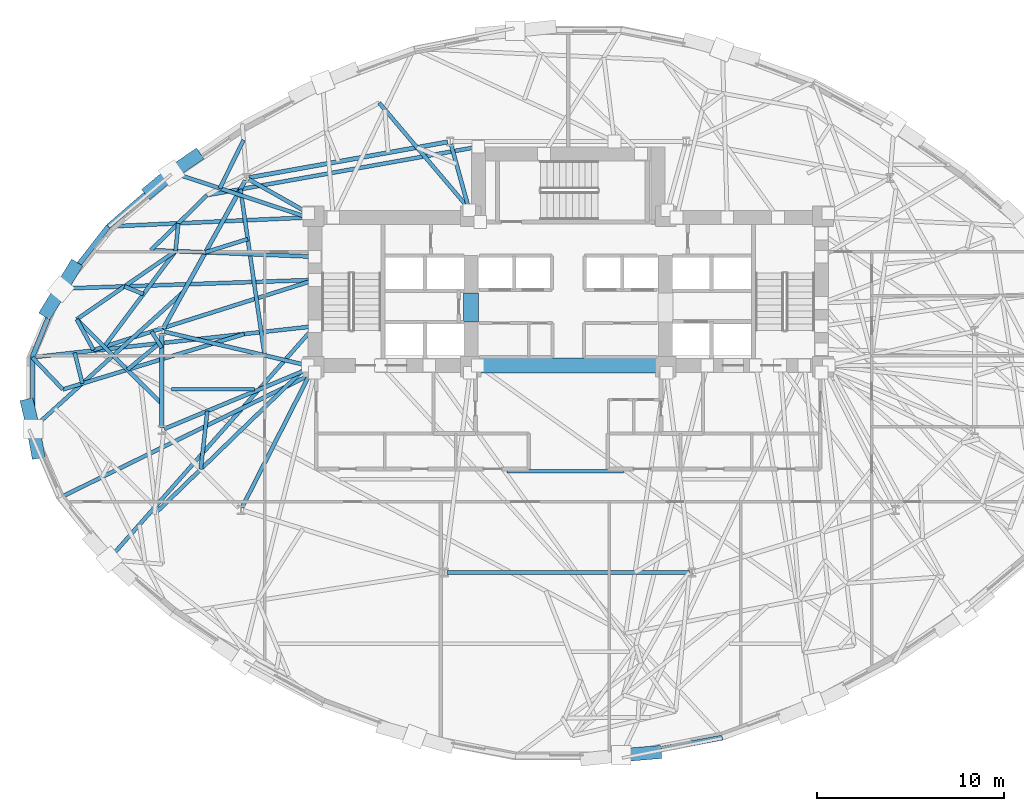
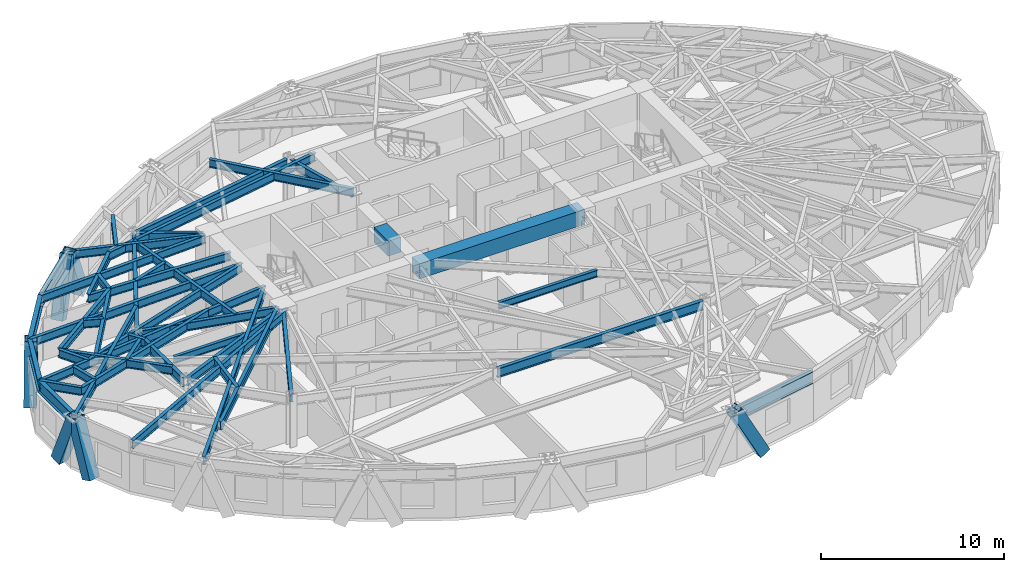
# One storey, part 2 of 14: 46 beams, 7 members.
"""IFC4 building model written with IfcOpenShell, lengths in metres."""

import ifcopenshell
import ifcopenshell.guid

model = None  # the IFC model being written
_history = None  # IfcOwnerHistory: only IFC2X3 demands one
_inside = {}  # id of a spatial element -> (the spatial element, [elements in it])
_under = {}  # id of a project, library or spatial element -> (it, [spatial elements below it])
_declared = {}  # id of a project -> (the project, [libraries it declares])
_typed = {}  # id of a type object -> (the type object, [elements of that type])
_made_of = {}  # id of a material, layer set ... -> (it, [elements and type objects made of it])


def new_model(schema):
    """Start an empty IFC model of exactly this schema.

    Asked for "IFC4X3", IfcOpenShell would pick the latest addendum, in which some entities
    have other attributes; the version numbers below select the first issue.
    IFC2X3 requires an IfcOwnerHistory on every rooted entity: one is made here for all.
    """
    global model, _history
    if schema == "IFC4X3":
        model = ifcopenshell.file(schema_version=(4, 3, 0, 0))
    else:
        model = ifcopenshell.file(schema=schema)
    _inside.clear()
    _under.clear()
    _declared.clear()
    _typed.clear()
    _made_of.clear()
    _history = None
    if model.schema == "IFC2X3":
        org = make("IfcOrganization", Name="unknown")
        user = make(
            "IfcPersonAndOrganization",
            ThePerson=make("IfcPerson", FamilyName="unknown"),
            TheOrganization=org,
        )
        app = make(
            "IfcApplication",
            ApplicationDeveloper=org,
            Version="unknown",
            ApplicationFullName="unknown",
            ApplicationIdentifier="unknown",
        )
        _history = make(
            "IfcOwnerHistory",
            OwningUser=user,
            OwningApplication=app,
            ChangeAction="ADDED",
            CreationDate=0,
        )
    return model


def make(cls, **values):
    """One entity of the class cls with the attributes given. An attribute that is None is left unset."""
    return model.create_entity(
        cls, **{name: value for name, value in values.items() if value is not None}
    )


def rooted(cls, **values):
    """An entity with a GlobalId (a new one), such as an element, a storey or a relation."""
    return make(cls, GlobalId=ifcopenshell.guid.new(), OwnerHistory=_history, **values)


def si_unit(unit_type, name, prefix=None):
    """IfcSIUnit, for example si_unit("LENGTHUNIT", "METRE", prefix="MILLI")."""
    return make("IfcSIUnit", UnitType=unit_type, Prefix=prefix, Name=name)


def assignment(units):
    """IfcUnitAssignment: the units of a project."""
    return None if units is None else make("IfcUnitAssignment", Units=units)


def point(xyz):
    """IfcCartesianPoint."""
    return None if xyz is None else make("IfcCartesianPoint", Coordinates=xyz)


def direction(xyz):
    """IfcDirection."""
    return None if xyz is None else make("IfcDirection", DirectionRatios=xyz)


def frame(location, z_axis=None, x_axis=None):
    """IfcAxis2Placement3D, a coordinate frame: its origin and axes. An axis left out is left unset."""
    return make(
        "IfcAxis2Placement3D",
        Location=point(location),
        Axis=direction(z_axis),
        RefDirection=direction(x_axis),
    )


def frame_2d(location, x_axis=None):
    """IfcAxis2Placement2D, a coordinate frame in the plane: its origin and x axis."""
    return make(
        "IfcAxis2Placement2D", Location=point(location), RefDirection=direction(x_axis)
    )


def origin():
    """The frame at (0, 0, 0) with its axes left unset."""
    return frame((0.0, 0.0, 0.0))


def origin_2d():
    """The frame at (0, 0) in the plane with its x axis left unset."""
    return frame_2d((0.0, 0.0))


def place(relative_to, where):
    """IfcLocalPlacement: puts the frame where relative to a parent placement (None: the world)."""
    return make(
        "IfcLocalPlacement", PlacementRelTo=relative_to, RelativePlacement=where
    )


def context(
    kind, dimensions, precision=None, world=None, true_north=None, identifier=None
):
    """IfcGeometricRepresentationContext, for example the 3D "Model" context."""
    return make(
        "IfcGeometricRepresentationContext",
        ContextIdentifier=identifier,
        ContextType=kind,
        CoordinateSpaceDimension=dimensions,
        Precision=precision,
        WorldCoordinateSystem=world,
        TrueNorth=true_north,
    )


def subcontext(parent, identifier, kind, view, scale=None):
    """IfcGeometricRepresentationSubContext, for example "Body" below "Model"."""
    return make(
        "IfcGeometricRepresentationSubContext",
        ContextIdentifier=identifier,
        ContextType=kind,
        ParentContext=parent,
        TargetScale=scale,
        TargetView=view,
    )


def project(units=None, contexts=None):
    """IfcProject with its units and contexts."""
    return rooted(
        "IfcProject",
        Name="project",
        RepresentationContexts=contexts,
        UnitsInContext=assignment(units),
    )


def spatial(cls, under=None, at=None, **own):
    """A site, building, storey or space (cls), placed at a placement, below another one or the project."""
    s = rooted(cls, ObjectPlacement=at, **own)
    if under is not None:
        _under.setdefault(under.id(), (under, []))[1].append(s)
    return s


def profile(cls, at=None, kind="AREA", **sizes):
    """A parametric profile (cls). Its sizes go by their IFC names, for example OverallWidth=200.0."""
    return make(cls, ProfileType=kind, Position=at, **sizes)


def rectangle(**sizes):
    """IfcRectangleProfileDef."""
    return profile("IfcRectangleProfileDef", **sizes)


def hollow_rectangle(**sizes):
    """IfcRectangleHollowProfileDef."""
    return profile("IfcRectangleHollowProfileDef", **sizes)


def i_section(**sizes):
    """IfcIShapeProfileDef."""
    return profile("IfcIShapeProfileDef", **sizes)


def extrude(swept, where, along, depth):
    """IfcExtrudedAreaSolid: the profile swept, set in the frame where, extruded along a direction by depth."""
    return make(
        "IfcExtrudedAreaSolid",
        SweptArea=swept,
        Position=where,
        ExtrudedDirection=direction(along),
        Depth=depth,
    )


def shape(context_of_items, identifier, shape_type, items):
    """IfcShapeRepresentation: the items that make up one representation, for example the "Body"."""
    return make(
        "IfcShapeRepresentation",
        ContextOfItems=context_of_items,
        RepresentationIdentifier=identifier,
        RepresentationType=shape_type,
        Items=items,
    )


def material(Name=None, Category=None):
    """IfcMaterial."""
    return make("IfcMaterial", Name=Name, Category=Category)


def material_profile(
    of_material, cross_section, Name=None, Category=None, Priority=None
):
    """IfcMaterialProfile: a cross section and its material."""
    return make(
        "IfcMaterialProfile",
        Name=Name,
        Material=of_material,
        Profile=cross_section,
        Priority=Priority,
        Category=Category,
    )


def profile_set(profiles, Name=None, composite=None):
    """IfcMaterialProfileSet."""
    return make(
        "IfcMaterialProfileSet",
        Name=Name,
        MaterialProfiles=profiles,
        CompositeProfile=composite,
    )


def made_of(thing, what):
    """Note that an element or type object is made of a material, layer set ...; save() writes the relation."""
    if what is not None:
        _made_of.setdefault(what.id(), (what, []))[1].append(thing)
    return thing


def type_object(cls, material=None, **own):
    """A type object (cls), such as IfcWallType, which elements share."""
    return made_of(rooted(cls, **own), material)


def element(
    cls,
    number,
    at=None,
    inside=None,
    cuts=None,
    type_object=None,
    material=None,
    context=None,
    identifier="Body",
    shape_type=None,
    held_by="IfcProductDefinitionShape",
    body=None,
    shapes=None,
    **own,
):
    """One element of the class cls, such as IfcWall. Its Tag is "e" and its number.

    at: its placement. inside: the storey or other place that contains it. cuts: it is an
    opening in that element (IfcRelVoidsElement). A single representation is given by context,
    identifier, shape_type and body (its items); several are given by shapes. held_by: the class
    of the entity that holds the representations. save() writes the other relations.
    """
    e = rooted(cls, Tag="e%d" % number, ObjectPlacement=at, **own)
    if body is not None:
        shapes = [shape(context, identifier, shape_type, body)]
    if shapes is not None:
        e.Representation = make(held_by, Representations=shapes)
    if inside is not None:
        _inside.setdefault(inside.id(), (inside, []))[1].append(e)
    if cuts is not None:
        rooted(
            "IfcRelVoidsElement", RelatingBuildingElement=cuts, RelatedOpeningElement=e
        )
    if type_object is not None:
        _typed.setdefault(type_object.id(), (type_object, []))[1].append(e)
    return made_of(e, material)


def aggregate(whole, parts):
    """IfcRelAggregates: a whole, such as a stair, and the parts it consists of."""
    return rooted("IfcRelAggregates", RelatingObject=whole, RelatedObjects=parts)


def save(model, path):
    """Write the relations noted so far, then the file.

    IfcRelAggregates (storeys below a building ...), IfcRelContainedInSpatialStructure (elements
    in a storey), IfcRelDefinesByType, IfcRelAssociatesMaterial and IfcRelDeclares: one each for
    every whole, place, type object, material and project.
    """
    for whole, parts in _under.values():
        aggregate(whole, parts)
    for where, things in _inside.values():
        rooted(
            "IfcRelContainedInSpatialStructure",
            RelatedElements=things,
            RelatingStructure=where,
        )
    for kind, things in _typed.values():
        rooted("IfcRelDefinesByType", RelatedObjects=things, RelatingType=kind)
    for what, things in _made_of.values():
        rooted("IfcRelAssociatesMaterial", RelatedObjects=things, RelatingMaterial=what)
    for by, libraries in _declared.values():
        rooted("IfcRelDeclares", RelatingContext=by, RelatedDefinitions=libraries)
    model.write(path)


model = new_model("IFC4")

# Units and contexts
model_context = context("Model", 3, precision=1e-05, world=origin(), true_north=direction((0.0, 1.0)))
body_context = subcontext(model_context, "Body", "Model", "MODEL_VIEW")
ifc_project = project(units=[si_unit("LENGTHUNIT", "METRE"), si_unit("AREAUNIT", "SQUARE_METRE"), si_unit("VOLUMEUNIT", "CUBIC_METRE"), si_unit("PLANEANGLEUNIT", "RADIAN"), si_unit("MASSUNIT", "GRAM", prefix="KILO")], contexts=[model_context])

# Site, building, storey
site_placement = place(None, origin())
site = spatial("IfcSite", under=ifc_project, at=site_placement, CompositionType="ELEMENT")
building_placement = place(site_placement, origin())
building = spatial("IfcBuilding", under=site, at=building_placement, Name="Keldmark Tower", CompositionType="ELEMENT")
storey_placement = place(building_placement, frame((0.0, 0.0, 89.60009765625)))
storey = spatial("IfcBuildingStorey", under=building, at=storey_placement, Name="L23", CompositionType="ELEMENT", Elevation=89.60009765625)

# Beams
ifc_material_1 = material(Name="Steel ASTM A992 Grade 50", Category="steel")
ifc_material_profile_1 = material_profile(ifc_material_1, i_section(OverallWidth=0.19091796875, OverallDepth=0.45703125, WebThickness=0.009033203125, FlangeThickness=0.014404296875, at=origin_2d()), Name="W18X50")
ifc_profile_set_1 = profile_set([ifc_material_profile_1], Name="Steel ASTM A992 Grade 50")
beam_type_1 = type_object("IfcBeamType", Name="Composite Floor Joist W18X50", PredefinedType="JOIST", material=ifc_profile_set_1)
beam_1_placement = place(storey_placement, frame((-3.270263671875, -4.179931640625, 3.081298828125), z_axis=(1.0, 0.0, 0.0), x_axis=(0.0, 1.0, 0.0)))
element("IfcBeam", 1, at=beam_1_placement, inside=storey, type_object=beam_type_1, Name="L23 Composite Floor Joist J05", PredefinedType="JOIST", context=body_context, shape_type="SweptSolid", body=[
    extrude(i_section(OverallWidth=0.19091796875, OverallDepth=0.45703125, WebThickness=0.009033203125, FlangeThickness=0.014404296875, at=origin_2d()), origin(), (0.0, 0.0, 1.0), 6.207275390625),
])
beam_2_placement = place(storey_placement, frame((-21.18798828125, 0.199951171875, 3.081298828125), z_axis=(1.0, 0.0, 0.0), x_axis=(0.0, 1.0, 0.0)))
element("IfcBeam", 2, at=beam_2_placement, inside=storey, type_object=beam_type_1, Name="L23 Composite Floor Joist J07", PredefinedType="JOIST", context=body_context, shape_type="SweptSolid", body=[
    extrude(i_section(OverallWidth=0.19091796875, OverallDepth=0.45703125, WebThickness=0.009033203125, FlangeThickness=0.014404296875, at=origin_2d()), origin(), (0.0, 0.0, 1.0), 4.43798828125),
])
ifc_material_2 = material(Name="Concrete C70/85", Category="concrete")
ifc_material_profile_2 = material_profile(ifc_material_2, rectangle(XDim=0.800048828125, YDim=1.0, at=origin_2d()), Name="RCB800X1000")
ifc_profile_set_2 = profile_set([ifc_material_profile_2], Name="Concrete C70/85")
beam_type_2 = type_object("IfcBeamType", Name="Core Coupling Beam RCB800X1000", PredefinedType="USERDEFINED", material=ifc_profile_set_2)
beam_3_placement = place(storey_placement, frame((-5.199951171875, 3.800048828125, 2.809814453125), z_axis=(0.0, 1.0, 0.0), x_axis=(-1.0, 0.0, 0.0)))
element("IfcBeam", 3, at=beam_3_placement, inside=storey, type_object=beam_type_2, Name="L23 West Core Coupling Beam", ObjectType="COUPLING BEAM", PredefinedType="USERDEFINED", context=body_context, shape_type="SweptSolid", body=[
    extrude(rectangle(XDim=0.800048828125, YDim=1.0, at=origin_2d()), origin(), (0.0, 0.0, 1.0), 1.550048828125),
])
beam_4_placement = place(storey_placement, frame((-5.199951171875, 1.47509765625, 2.809814453125), z_axis=(1.0, 0.0, 0.0), x_axis=(0.0, 1.0, 0.0)))
element("IfcBeam", 4, at=beam_4_placement, inside=storey, type_object=beam_type_2, Name="L23 Central South Core Coupling Beam", ObjectType="COUPLING BEAM", PredefinedType="USERDEFINED", context=body_context, shape_type="SweptSolid", body=[
    extrude(rectangle(XDim=0.800048828125, YDim=1.0, at=origin_2d()), origin(), (0.0, 0.0, 1.0), 10.39990234375),
])

# Members
ifc_material_3 = material(Name="Steel ASTM A572 Grade 50", Category="steel")
ifc_material_profile_3 = material_profile(ifc_material_3, hollow_rectangle(XDim=0.699951171875, YDim=0.699951171875, WallThickness=0.054931640625, at=origin_2d()), Name="BOX700X700X55")
ifc_profile_set_3 = profile_set([ifc_material_profile_3], Name="Steel ASTM A572 Grade 50")
member_type = type_object("IfcMemberType", Name="Diagrid Zone 1 Brace BOX700X700X55", PredefinedType="BRACE", material=ifc_profile_set_3)
member_1_placement = place(storey_placement, frame((-19.907470703125, 12.614013671875, -0.27001953125), z_axis=(-0.333620470864, -0.228093392152, 0.914697100617), x_axis=(0.564391894184, -0.82550698954, 0.0)))
element("IfcMember", 5, at=member_1_placement, inside=storey, type_object=member_type, Name="L23 Perimeter Diagrid Brace 06B", PredefinedType="BRACE", context=body_context, shape_type="SweptSolid", body=[
    extrude(hollow_rectangle(XDim=0.699951171875, YDim=0.699951171875, WallThickness=0.054931640625, at=origin_2d()), origin(), (0.0, 0.0, 1.0), 3.78271484375),
])
member_2_placement = place(storey_placement, frame((-22.3076171875, 10.80419921875, -0.27001953125), z_axis=(0.304262540081, 0.25353051945, 0.918230135865), x_axis=(-0.640152216229, 0.768248097984, 0.0)))
element("IfcMember", 6, at=member_2_placement, inside=storey, type_object=member_type, Name="L23 Perimeter Diagrid Brace 07A", PredefinedType="BRACE", context=body_context, shape_type="SweptSolid", body=[
    extrude(hollow_rectangle(XDim=0.699951171875, YDim=0.699951171875, WallThickness=0.054931640625, at=origin_2d()), origin(), (0.0, 0.0, 1.0), 3.76806640625),
])
member_3_placement = place(storey_placement, frame((-26.37841796875, 6.693115234375, -0.27001953125), z_axis=(-0.187684398206, -0.308178834782, 0.932630887577), x_axis=(0.854078792006, -0.520143650395, 0.0)))
element("IfcMember", 7, at=member_3_placement, inside=storey, type_object=member_type, Name="L23 Perimeter Diagrid Brace 07B", PredefinedType="BRACE", context=body_context, shape_type="SweptSolid", body=[
    extrude(hollow_rectangle(XDim=0.699951171875, YDim=0.699951171875, WallThickness=0.054931640625, at=origin_2d()), origin(), (0.0, 0.0, 1.0), 3.7099609375),
])
member_4_placement = place(storey_placement, frame((-27.798583984375, 4.372314453125, -0.27001953125), z_axis=(0.195238026739, 0.31861170438, 0.927560615134), x_axis=(-0.852649078303, 0.522484018196, 0.0)))
element("IfcMember", 8, at=member_4_placement, inside=storey, type_object=member_type, Name="L23 Perimeter Diagrid Brace 08A", PredefinedType="BRACE", context=body_context, shape_type="SweptSolid", body=[
    extrude(hollow_rectangle(XDim=0.699951171875, YDim=0.699951171875, WallThickness=0.054931640625, at=origin_2d()), origin(), (0.0, 0.0, 1.0), 3.730224609375),
])
member_5_placement = place(storey_placement, frame((-28.849853515625, -0.649169921875, -0.27001953125), z_axis=(0.08070542249, -0.342700848854, 0.935971560986), x_axis=(0.973372868039, 0.229227528376, 0.0)))
element("IfcMember", 9, at=member_5_placement, inside=storey, type_object=member_type, Name="L23 Perimeter Diagrid Brace 08B", PredefinedType="BRACE", context=body_context, shape_type="SweptSolid", body=[
    extrude(hollow_rectangle(XDim=0.699951171875, YDim=0.699951171875, WallThickness=0.054931640625, at=origin_2d()), origin(), (0.0, 0.0, 1.0), 3.696533203125),
])
member_6_placement = place(storey_placement, frame((-28.3232421875, -3.15380859375, -0.27001953125), z_axis=(-0.061933605526, 0.339011971209, 0.93874123798), x_axis=(-0.983718870199, -0.179714174216, 0.0)))
element("IfcMember", 10, at=member_6_placement, inside=storey, type_object=member_type, Name="L23 Perimeter Diagrid Brace 09A", PredefinedType="BRACE", context=body_context, shape_type="SweptSolid", body=[
    extrude(hollow_rectangle(XDim=0.699951171875, YDim=0.699951171875, WallThickness=0.054931640625, at=origin_2d()), origin(), (0.0, 0.0, 1.0), 3.685791015625),
])
member_7_placement = place(storey_placement, frame((4.65576171875, -19.17919921875, -0.27001953125), z_axis=(-0.469910685109, -0.039511822702, 0.881829214694), x_axis=(0.083788014714, -0.996483601767, 0.0)))
element("IfcMember", 11, at=member_7_placement, inside=storey, type_object=member_type, Name="L23 Perimeter Diagrid Brace 13A", PredefinedType="BRACE", context=body_context, shape_type="SweptSolid", body=[
    extrude(hollow_rectangle(XDim=0.699951171875, YDim=0.699951171875, WallThickness=0.054931640625, at=origin_2d()), origin(), (0.0, 0.0, 1.0), 3.923583984375),
])

# Beams
ifc_material_4 = material(Name="Steel ASTM A992 Grade 50", Category="steel")
ifc_material_profile_4 = material_profile(ifc_material_4, i_section(OverallWidth=0.22900390625, OverallDepth=0.612060546875, WebThickness=0.011962890625, FlangeThickness=0.01953125, at=origin_2d()), Name="W24X84")
ifc_profile_set_4 = profile_set([ifc_material_profile_4], Name="Steel ASTM A992 Grade 50")
beam_type_3 = type_object("IfcBeamType", Name="Primary Floor Girder W24X84", PredefinedType="BEAM", material=ifc_profile_set_4)
beam_5_placement = place(storey_placement, frame((-6.4365234375, 13.40771484375, 3.00390625), z_axis=(-0.984218266992, -0.176958760505, 0.0), x_axis=(0.176958760505, -0.984218266992, 0.0)))
element("IfcBeam", 12, at=beam_5_placement, inside=storey, type_object=beam_type_3, Name="L23 Floor Ring Girder FG-R04", PredefinedType="BEAM", context=body_context, shape_type="SweptSolid", body=[
    extrude(i_section(OverallWidth=0.22900390625, OverallDepth=0.612060546875, WebThickness=0.011962890625, FlangeThickness=0.01953125, at=origin_2d()), origin(), (0.0, 0.0, 1.0), 10.7626953125),
])
beam_6_placement = place(storey_placement, frame((-17.235107421875, 11.35595703125, 3.00390625), z_axis=(-0.484951836703, -0.874540860154, 0.0), x_axis=(0.874540860154, -0.484951836703, 0.0)))
element("IfcBeam", 13, at=beam_6_placement, inside=storey, type_object=beam_type_3, Name="L23 Floor Ring Girder FG-R05", PredefinedType="BEAM", context=body_context, shape_type="SweptSolid", body=[
    extrude(i_section(OverallWidth=0.22900390625, OverallDepth=0.612060546875, WebThickness=0.011962890625, FlangeThickness=0.01953125, at=origin_2d()), origin(), (0.0, 0.0, 1.0), 9.060302734375),
])
beam_7_placement = place(storey_placement, frame((-21.697021484375, 3.169921875, 3.00390625), z_axis=(0.0, -1.0, 0.0), x_axis=(1.0, 0.0, 0.0)))
element("IfcBeam", 14, at=beam_7_placement, inside=storey, type_object=beam_type_3, Name="L23 Floor Ring Girder FG-R06", PredefinedType="BEAM", context=body_context, shape_type="SweptSolid", body=[
    extrude(i_section(OverallWidth=0.22900390625, OverallDepth=0.612060546875, WebThickness=0.011962890625, FlangeThickness=0.01953125, at=origin_2d()), origin(), (0.0, 0.0, 1.0), 4.995849609375),
])
beam_8_placement = place(storey_placement, frame((-6.472900390625, -9.579345703125, 3.00390625), z_axis=(1.0, 0.0, 0.0), x_axis=(0.0, 1.0, 0.0)))
element("IfcBeam", 15, at=beam_8_placement, inside=storey, type_object=beam_type_3, Name="L23 Floor Ring Girder FG-R09", PredefinedType="BEAM", context=body_context, shape_type="SweptSolid", body=[
    extrude(i_section(OverallWidth=0.22900390625, OverallDepth=0.612060546875, WebThickness=0.011962890625, FlangeThickness=0.01953125, at=origin_2d()), origin(), (0.0, 0.0, 1.0), 12.94580078125),
])
ifc_material_5 = material(Name="Steel ASTM A992 Grade 50", Category="steel")
ifc_material_profile_5 = material_profile(ifc_material_5, i_section(OverallWidth=0.2099609375, OverallDepth=0.537109375, WebThickness=0.010986328125, FlangeThickness=0.017333984375, at=origin_2d()), Name="W21X68")
ifc_profile_set_5 = profile_set([ifc_material_profile_5], Name="Steel ASTM A992 Grade 50")
beam_type_4 = type_object("IfcBeamType", Name="Radial Tie Girder W21X68", PredefinedType="BEAM", material=ifc_profile_set_5)
beam_9_placement = place(storey_placement, frame((-4.699951171875, 9.139892578125, 3.04150390625), z_axis=(-0.647143126424, 0.762368528942, 0.0), x_axis=(-0.762368528942, -0.647143126424, 0.0)))
element("IfcBeam", 16, at=beam_9_placement, inside=storey, type_object=beam_type_4, Name="L23 Sub-Ring Step Girder STP1-M05", PredefinedType="BEAM", context=body_context, shape_type="SweptSolid", body=[
    extrude(i_section(OverallWidth=0.2099609375, OverallDepth=0.537109375, WebThickness=0.010986328125, FlangeThickness=0.017333984375, at=origin_2d()), origin(), (0.0, 0.0, 1.0), 8.333251953125),
])
beam_10_placement = place(storey_placement, frame((-16.206298828125, 2.014892578125, 3.04150390625), z_axis=(-0.14389571359, 0.989592857498, 0.0), x_axis=(-0.989592857498, -0.14389571359, 0.0)))
element("IfcBeam", 17, at=beam_10_placement, inside=storey, type_object=beam_type_4, Name="L23 Framing Pin Header PH-003", PredefinedType="BEAM", context=body_context, shape_type="SweptSolid", body=[
    extrude(i_section(OverallWidth=0.2099609375, OverallDepth=0.537109375, WebThickness=0.010986328125, FlangeThickness=0.017333984375, at=origin_2d()), origin(), (0.0, 0.0, 1.0), 8.96337890625),
])
beam_11_placement = place(storey_placement, frame((-4.800048828125, 13.14990234375, 3.04150390625), z_axis=(-0.984456181666, -0.175630368615, 0.0), x_axis=(0.175630368615, -0.984456181666, 0.0)))
element("IfcBeam", 18, at=beam_11_placement, inside=storey, type_object=beam_type_4, Name="L23 Sub-Ring Step Girder STP1-M06", PredefinedType="BEAM", context=body_context, shape_type="SweptSolid", body=[
    extrude(i_section(OverallWidth=0.2099609375, OverallDepth=0.537109375, WebThickness=0.010986328125, FlangeThickness=0.017333984375, at=origin_2d()), origin(), (0.0, 0.0, 1.0), 14.7099609375),
])
beam_12_placement = place(storey_placement, frame((-21.697021484375, 2.42041015625, 3.04150390625), z_axis=(-0.532495429239, 0.84643287852, 0.0), x_axis=(-0.84643287852, -0.532495429239, 0.0)))
element("IfcBeam", 19, at=beam_12_placement, inside=storey, type_object=beam_type_4, Name="L23 Framing Pin Header PH-006", PredefinedType="BEAM", context=body_context, shape_type="SweptSolid", body=[
    extrude(i_section(OverallWidth=0.2099609375, OverallDepth=0.537109375, WebThickness=0.010986328125, FlangeThickness=0.017333984375, at=origin_2d()), origin(), (0.0, 0.0, 1.0), 1.018798828125),
])
beam_13_placement = place(storey_placement, frame((-13.52490234375, 6.04296875, 3.04150390625), z_axis=(-0.953321531425, -0.301957046153, 0.0), x_axis=(0.301957046153, -0.953321531425, 0.0)))
element("IfcBeam", 20, at=beam_13_placement, inside=storey, type_object=beam_type_4, Name="L23 Sub-Ring Step Girder STP2-M07", PredefinedType="BEAM", context=body_context, shape_type="SweptSolid", body=[
    extrude(i_section(OverallWidth=0.2099609375, OverallDepth=0.537109375, WebThickness=0.010986328125, FlangeThickness=0.017333984375, at=origin_2d()), origin(), (0.0, 0.0, 1.0), 12.394775390625),
])
beam_14_placement = place(storey_placement, frame((-17.333251953125, 13.50634765625, 3.04150390625), z_axis=(-0.441073525403, -0.897470971781, 0.0), x_axis=(0.897470971781, -0.441073525403, 0.0)))
element("IfcBeam", 21, at=beam_14_placement, inside=storey, type_object=beam_type_4, Name="L23 Framing Pin Header PH-018", PredefinedType="BEAM", context=body_context, shape_type="SweptSolid", body=[
    extrude(i_section(OverallWidth=0.2099609375, OverallDepth=0.537109375, WebThickness=0.010986328125, FlangeThickness=0.017333984375, at=origin_2d()), origin(), (0.0, 0.0, 1.0), 2.86767578125),
])
beam_15_placement = place(storey_placement, frame((-13.89990234375, 9.375, 3.04150390625), z_axis=(-0.94919893373, 0.314676634351, 0.0), x_axis=(-0.314676634351, -0.94919893373, 0.0)))
element("IfcBeam", 22, at=beam_15_placement, inside=storey, type_object=beam_type_4, Name="L23 Perimeter Radial Tie Girder RT-13", PredefinedType="BEAM", context=body_context, shape_type="SweptSolid", body=[
    extrude(i_section(OverallWidth=0.2099609375, OverallDepth=0.537109375, WebThickness=0.010986328125, FlangeThickness=0.017333984375, at=origin_2d()), origin(), (0.0, 0.0, 1.0), 7.69873046875),
])
beam_16_placement = place(storey_placement, frame((-17.109130859375, 8.223876953125, 3.04150390625), z_axis=(-0.954023244939, -0.299732627712, 0.0), x_axis=(0.299732627712, -0.954023244939, 0.0)))
element("IfcBeam", 23, at=beam_16_placement, inside=storey, type_object=beam_type_4, Name="L23 Framing Pin Header PH-019", PredefinedType="BEAM", context=body_context, shape_type="SweptSolid", body=[
    extrude(i_section(OverallWidth=0.2099609375, OverallDepth=0.537109375, WebThickness=0.010986328125, FlangeThickness=0.017333984375, at=origin_2d()), origin(), (0.0, 0.0, 1.0), 2.364501953125),
])
beam_17_placement = place(storey_placement, frame((-13.52490234375, 7.278564453125, 3.04150390625), z_axis=(-0.999180249988, 0.040482441068, 0.0), x_axis=(-0.040482441068, -0.999180249988, 0.0)))
element("IfcBeam", 24, at=beam_17_placement, inside=storey, type_object=beam_type_4, Name="L23 Intermediate Radial Step Girder RT-14M", PredefinedType="BEAM", context=body_context, shape_type="SweptSolid", body=[
    extrude(i_section(OverallWidth=0.2099609375, OverallDepth=0.537109375, WebThickness=0.010986328125, FlangeThickness=0.017333984375, at=origin_2d()), origin(), (0.0, 0.0, 1.0), 8.756591796875),
])
beam_18_placement = place(storey_placement, frame((-19.28125, 10.56640625, 3.04150390625), z_axis=(-0.714207014801, -0.699934525516, 0.0), x_axis=(0.699934525516, -0.714207014801, 0.0)))
element("IfcBeam", 25, at=beam_18_placement, inside=storey, type_object=beam_type_4, Name="L23 Local Collector Chord RT-14C", PredefinedType="BEAM", context=body_context, shape_type="SweptSolid", body=[
    extrude(i_section(OverallWidth=0.2099609375, OverallDepth=0.537109375, WebThickness=0.010986328125, FlangeThickness=0.017333984375, at=origin_2d()), origin(), (0.0, 0.0, 1.0), 4.19091796875),
])
beam_19_placement = place(storey_placement, frame((-20.9619140625, 7.579833984375, 3.04150390625), z_axis=(0.098449444318, 0.995142053635, 0.0), x_axis=(-0.995142053635, 0.098449444318, 0.0)))
element("IfcBeam", 26, at=beam_19_placement, inside=storey, type_object=beam_type_4, Name="L23 Framing Pin Header PH-020", PredefinedType="BEAM", context=body_context, shape_type="SweptSolid", body=[
    extrude(i_section(OverallWidth=0.2099609375, OverallDepth=0.537109375, WebThickness=0.010986328125, FlangeThickness=0.017333984375, at=origin_2d()), origin(), (0.0, 0.0, 1.0), 1.490478515625),
])
beam_20_placement = place(storey_placement, frame((-13.89990234375, 9.375, 3.04150390625), z_axis=(-0.998984813871, -0.045048214784, 0.0), x_axis=(0.045048214784, -0.998984813871, 0.0)))
element("IfcBeam", 27, at=beam_20_placement, inside=storey, type_object=beam_type_4, Name="L23 Perimeter Radial Tie Girder RT-14", PredefinedType="BEAM", context=body_context, shape_type="SweptSolid", body=[
    extrude(i_section(OverallWidth=0.2099609375, OverallDepth=0.537109375, WebThickness=0.010986328125, FlangeThickness=0.017333984375, at=origin_2d()), origin(), (0.0, 0.0, 1.0), 10.66015625),
])
beam_21_placement = place(storey_placement, frame((-20.9619140625, 7.579833984375, 3.04150390625), z_axis=(-0.598396626893, -0.801200023043, 0.0), x_axis=(0.801200023043, -0.598396626893, 0.0)))
element("IfcBeam", 28, at=beam_21_placement, inside=storey, type_object=beam_type_4, Name="L23 Framing Pin Header PH-021", PredefinedType="BEAM", context=body_context, shape_type="SweptSolid", body=[
    extrude(i_section(OverallWidth=0.2099609375, OverallDepth=0.537109375, WebThickness=0.010986328125, FlangeThickness=0.017333984375, at=origin_2d()), origin(), (0.0, 0.0, 1.0), 6.363525390625),
])
beam_22_placement = place(storey_placement, frame((-21.697021484375, -0.576904296875, 3.04150390625), z_axis=(-0.708763765715, 0.705445904665, 0.0), x_axis=(-0.705445904665, -0.708763765715, 0.0)))
element("IfcBeam", 29, at=beam_22_placement, inside=storey, type_object=beam_type_4, Name="L23 Intermediate Radial Step Girder RT-15M", PredefinedType="BEAM", context=body_context, shape_type="SweptSolid", body=[
    extrude(i_section(OverallWidth=0.2099609375, OverallDepth=0.537109375, WebThickness=0.010986328125, FlangeThickness=0.017333984375, at=origin_2d()), origin(), (0.0, 0.0, 1.0), 6.40185546875),
])
beam_23_placement = place(storey_placement, frame((-25.341064453125, 2.30029296875, 3.04150390625), z_axis=(-0.47858634916, 0.878040492459, 0.0), x_axis=(-0.878040492459, -0.47858634916, 0.0)))
element("IfcBeam", 30, at=beam_23_placement, inside=storey, type_object=beam_type_4, Name="L23 Local Collector Chord RT-15C", PredefinedType="BEAM", context=body_context, shape_type="SweptSolid", body=[
    extrude(i_section(OverallWidth=0.2099609375, OverallDepth=0.537109375, WebThickness=0.010986328125, FlangeThickness=0.017333984375, at=origin_2d()), origin(), (0.0, 0.0, 1.0), 1.866455078125),
])
beam_24_placement = place(storey_placement, frame((-13.52490234375, 3.5712890625, 3.04150390625), z_axis=(-0.993992514199, -0.109448077721, 0.0), x_axis=(0.109448077721, -0.993992514199, 0.0)))
element("IfcBeam", 31, at=beam_24_placement, inside=storey, type_object=beam_type_4, Name="L23 Perimeter Radial Tie Girder RT-16", PredefinedType="BEAM", context=body_context, shape_type="SweptSolid", body=[
    extrude(i_section(OverallWidth=0.2099609375, OverallDepth=0.537109375, WebThickness=0.010986328125, FlangeThickness=0.017333984375, at=origin_2d()), origin(), (0.0, 0.0, 1.0), 15.17724609375),
])
beam_25_placement = place(storey_placement, frame((-21.822509765625, 2.65771484375, 3.04150390625), z_axis=(-0.771589670917, -0.636120570123, 0.0), x_axis=(0.636120570123, -0.771589670917, 0.0)))
element("IfcBeam", 32, at=beam_25_placement, inside=storey, type_object=beam_type_4, Name="L23 Framing Pin Header PH-022", PredefinedType="BEAM", context=body_context, shape_type="SweptSolid", body=[
    extrude(i_section(OverallWidth=0.2099609375, OverallDepth=0.537109375, WebThickness=0.010986328125, FlangeThickness=0.017333984375, at=origin_2d()), origin(), (0.0, 0.0, 1.0), 2.21484375),
])
beam_26_placement = place(storey_placement, frame((-17.29638671875, 3.156005859375, 3.04150390625), z_axis=(-0.956261654832, -0.292512645021, 0.0), x_axis=(0.292512645021, -0.956261654832, 0.0)))
element("IfcBeam", 33, at=beam_26_placement, inside=storey, type_object=beam_type_4, Name="L23 Intermediate Radial Step Girder RT-17M", PredefinedType="BEAM", context=body_context, shape_type="SweptSolid", body=[
    extrude(i_section(OverallWidth=0.2099609375, OverallDepth=0.537109375, WebThickness=0.010986328125, FlangeThickness=0.017333984375, at=origin_2d()), origin(), (0.0, 0.0, 1.0), 10.122314453125),
])
beam_27_placement = place(storey_placement, frame((-28.611083984375, 1.91015625, 3.04150390625), z_axis=(0.690007556869, -0.723802163208, 0.0), x_axis=(0.723802163208, 0.690007556869, 0.0)))
element("IfcBeam", 34, at=beam_27_placement, inside=storey, type_object=beam_type_4, Name="L23 Local Collector Chord RT-17C", PredefinedType="BEAM", context=body_context, shape_type="SweptSolid", body=[
    extrude(i_section(OverallWidth=0.2099609375, OverallDepth=0.537109375, WebThickness=0.010986328125, FlangeThickness=0.017333984375, at=origin_2d()), origin(), (0.0, 0.0, 1.0), 2.36962890625),
])
beam_28_placement = place(storey_placement, frame((-26.34814453125, 2.1591796875, 3.04150390625), z_axis=(0.241858494215, -0.970311531817, 0.0), x_axis=(0.970311531817, 0.241858494215, 0.0)))
element("IfcBeam", 35, at=beam_28_placement, inside=storey, type_object=beam_type_4, Name="L23 Framing Pin Header PH-023", PredefinedType="BEAM", context=body_context, shape_type="SweptSolid", body=[
    extrude(i_section(OverallWidth=0.2099609375, OverallDepth=0.537109375, WebThickness=0.010986328125, FlangeThickness=0.017333984375, at=origin_2d()), origin(), (0.0, 0.0, 1.0), 1.69677734375),
])
beam_29_placement = place(storey_placement, frame((-20.530517578125, 5.4130859375, 3.04150390625), z_axis=(-0.740976507918, -0.671530948441, 0.0), x_axis=(0.671530948441, -0.740976507918, 0.0)))
element("IfcBeam", 36, at=beam_29_placement, inside=storey, type_object=beam_type_4, Name="L23 Perimeter Radial Tie Girder RT-17", PredefinedType="BEAM", context=body_context, shape_type="SweptSolid", body=[
    extrude(i_section(OverallWidth=0.2099609375, OverallDepth=0.537109375, WebThickness=0.010986328125, FlangeThickness=0.017333984375, at=origin_2d()), origin(), (0.0, 0.0, 1.0), 10.9052734375),
])
beam_30_placement = place(storey_placement, frame((-19.26611328125, -0.955322265625, 3.04150390625), z_axis=(-0.112528239254, -0.993648527081, 0.0), x_axis=(0.993648527081, -0.112528239254, 0.0)))
element("IfcBeam", 37, at=beam_30_placement, inside=storey, type_object=beam_type_4, Name="L23 Framing Pin Header PH-024", PredefinedType="BEAM", context=body_context, shape_type="SweptSolid", body=[
    extrude(i_section(OverallWidth=0.2099609375, OverallDepth=0.537109375, WebThickness=0.010986328125, FlangeThickness=0.017333984375, at=origin_2d()), origin(), (0.0, 0.0, 1.0), 3.130615234375),
])
beam_31_placement = place(storey_placement, frame((-13.89990234375, 1.47509765625, 3.04150390625), z_axis=(-0.718163385162, -0.695874523325, 0.0), x_axis=(0.695874523325, -0.718163385162, 0.0)))
element("IfcBeam", 38, at=beam_31_placement, inside=storey, type_object=beam_type_4, Name="L23 Intermediate Radial Step Girder RT-19M", PredefinedType="BEAM", context=body_context, shape_type="SweptSolid", body=[
    extrude(i_section(OverallWidth=0.2099609375, OverallDepth=0.537109375, WebThickness=0.010986328125, FlangeThickness=0.017333984375, at=origin_2d()), origin(), (0.0, 0.0, 1.0), 11.41357421875),
])
beam_32_placement = place(storey_placement, frame((-13.52490234375, 3.5712890625, 3.04150390625), z_axis=(-0.662464034549, -0.749093721058, 0.0), x_axis=(0.749093721058, -0.662464034549, 0.0)))
element("IfcBeam", 39, at=beam_32_placement, inside=storey, type_object=beam_type_4, Name="L23 Perimeter Radial Tie Girder RT-19", PredefinedType="BEAM", context=body_context, shape_type="SweptSolid", body=[
    extrude(i_section(OverallWidth=0.2099609375, OverallDepth=0.537109375, WebThickness=0.010986328125, FlangeThickness=0.017333984375, at=origin_2d()), origin(), (0.0, 0.0, 1.0), 16.6416015625),
])
beam_33_placement = place(storey_placement, frame((-20.9619140625, 7.579833984375, 3.04150390625), z_axis=(-0.82288841676, -0.568203003831, 0.0), x_axis=(0.568203003831, -0.82288841676, 0.0)))
element("IfcBeam", 40, at=beam_33_placement, inside=storey, type_object=beam_type_4, Name="L23 Straddling Support Chord RT-15RB", PredefinedType="BEAM", context=body_context, shape_type="SweptSolid", body=[
    extrude(i_section(OverallWidth=0.2099609375, OverallDepth=0.537109375, WebThickness=0.010986328125, FlangeThickness=0.017333984375, at=origin_2d()), origin(), (0.0, 0.0, 1.0), 6.4072265625),
])
beam_34_placement = place(storey_placement, frame((-22.67529296875, 5.285400390625, 3.04150390625), z_axis=(-0.927241837108, 0.374463049601, 0.0), x_axis=(-0.374463049601, -0.927241837108, 0.0)))
element("IfcBeam", 41, at=beam_34_placement, inside=storey, type_object=beam_type_4, Name="L23 Framing Pin Header PH-041", PredefinedType="BEAM", context=body_context, shape_type="SweptSolid", body=[
    extrude(i_section(OverallWidth=0.2099609375, OverallDepth=0.537109375, WebThickness=0.010986328125, FlangeThickness=0.017333984375, at=origin_2d()), origin(), (0.0, 0.0, 1.0), 1.09521484375),
])
beam_35_placement = place(storey_placement, frame((-13.52490234375, 6.04296875, 3.04150390625), z_axis=(-0.999416624375, -0.034152758634, 0.0), x_axis=(0.034152758634, -0.999416624375, 0.0)))
element("IfcBeam", 42, at=beam_35_placement, inside=storey, type_object=beam_type_4, Name="L23 Perimeter Radial Tie Girder RT-15R", PredefinedType="BEAM", context=body_context, shape_type="SweptSolid", body=[
    extrude(i_section(OverallWidth=0.2099609375, OverallDepth=0.537109375, WebThickness=0.010986328125, FlangeThickness=0.017333984375, at=origin_2d()), origin(), (0.0, 0.0, 1.0), 13.61083984375),
])
beam_36_placement = place(storey_placement, frame((-13.52490234375, 1.10009765625, 3.04150390625), z_axis=(-0.897654748014, -0.440699391159, 0.0), x_axis=(0.440699391159, -0.897654748014, 0.0)))
element("IfcBeam", 43, at=beam_36_placement, inside=storey, type_object=beam_type_4, Name="L23 Perimeter Radial Tie Girder RT-18R", PredefinedType="BEAM", context=body_context, shape_type="SweptSolid", body=[
    extrude(i_section(OverallWidth=0.2099609375, OverallDepth=0.537109375, WebThickness=0.010986328125, FlangeThickness=0.017333984375, at=origin_2d()), origin(), (0.0, 0.0, 1.0), 15.15380859375),
])
ifc_material_6 = material(Name="Steel ASTM A992 Grade 50", Category="steel")
ifc_material_profile_6 = material_profile(ifc_material_6, i_section(OverallWidth=0.214111328125, OverallDepth=0.549072265625, WebThickness=0.0146484375, FlangeThickness=0.023681640625, at=origin_2d()), Name="W21X93")
ifc_profile_set_6 = profile_set([ifc_material_profile_6], Name="Steel ASTM A992 Grade 50")
beam_type_5 = type_object("IfcBeamType", Name="Radial Tie Girder W21X93", PredefinedType="BEAM", material=ifc_profile_set_6)
beam_37_placement = place(storey_placement, frame((-6.26171875, 13.297607421875, 3.035400390625), z_axis=(0.265997186795, -0.963973804944, 0.0), x_axis=(0.963973804944, 0.265997186795, 0.0)))
element("IfcBeam", 44, at=beam_37_placement, inside=storey, type_object=beam_type_5, Name="L23 Floor Radial Girder FG-C04", PredefinedType="BEAM", context=body_context, shape_type="SweptSolid", body=[
    extrude(i_section(OverallWidth=0.214111328125, OverallDepth=0.549072265625, WebThickness=0.0146484375, FlangeThickness=0.023681640625, at=origin_2d()), origin(), (0.0, 0.0, 1.0), 3.67138671875),
])
beam_38_placement = place(storey_placement, frame((-17.04541015625, 11.4091796875, 3.035400390625), z_axis=(0.86928447329, -0.494312152892, 0.0), x_axis=(0.494312152892, 0.86928447329, 0.0)))
element("IfcBeam", 45, at=beam_38_placement, inside=storey, type_object=beam_type_5, Name="L23 Floor Radial Girder FG-C05", PredefinedType="BEAM", context=body_context, shape_type="SweptSolid", body=[
    extrude(i_section(OverallWidth=0.214111328125, OverallDepth=0.549072265625, WebThickness=0.0146484375, FlangeThickness=0.023681640625, at=origin_2d()), origin(), (0.0, 0.0, 1.0), 3.6435546875),
])
beam_39_placement = place(storey_placement, frame((-21.560546875, 3.27783203125, 3.035400390625), z_axis=(0.973283778272, -0.229605502879, 0.0), x_axis=(0.229605502879, 0.973283778272, 0.0)))
element("IfcBeam", 46, at=beam_39_placement, inside=storey, type_object=beam_type_5, Name="L23 Floor Radial Girder FG-C06", PredefinedType="BEAM", context=body_context, shape_type="SweptSolid", body=[
    extrude(i_section(OverallWidth=0.214111328125, OverallDepth=0.549072265625, WebThickness=0.0146484375, FlangeThickness=0.023681640625, at=origin_2d()), origin(), (0.0, 0.0, 1.0), 7.85888671875),
])
beam_40_placement = place(storey_placement, frame((-21.567626953125, -1.912109375, 3.035400390625), z_axis=(0.923397393633, 0.383845350932, 0.0), x_axis=(-0.383845350932, 0.923397393633, 0.0)))
element("IfcBeam", 47, at=beam_40_placement, inside=storey, type_object=beam_type_5, Name="L23 Floor Radial Girder FG-C07", PredefinedType="BEAM", context=body_context, shape_type="SweptSolid", body=[
    extrude(i_section(OverallWidth=0.214111328125, OverallDepth=0.549072265625, WebThickness=0.0146484375, FlangeThickness=0.023681640625, at=origin_2d()), origin(), (0.0, 0.0, 1.0), 8.30859375),
])
beam_41_placement = place(storey_placement, frame((-17.413818359375, -6.104736328125, 3.035400390625), z_axis=(0.453028637759, 0.891495963743, 0.0), x_axis=(-0.891495963743, 0.453028637759, 0.0)))
element("IfcBeam", 48, at=beam_41_placement, inside=storey, type_object=beam_type_5, Name="L23 Floor Radial Girder FG-C08", PredefinedType="BEAM", context=body_context, shape_type="SweptSolid", body=[
    extrude(i_section(OverallWidth=0.214111328125, OverallDepth=0.549072265625, WebThickness=0.0146484375, FlangeThickness=0.023681640625, at=origin_2d()), origin(), (0.0, 0.0, 1.0), 8.09814453125),
])
ifc_material_7 = material(Name="Steel ASTM A992 Grade 50", Category="steel")
ifc_material_profile_7 = material_profile(ifc_material_7, i_section(OverallWidth=0.26806640625, OverallDepth=0.77001953125, WebThickness=0.015625, FlangeThickness=0.025390625, at=origin_2d()), Name="W30X132")
ifc_profile_set_7 = profile_set([ifc_material_profile_7], Name="Steel ASTM A992 Grade 50")
beam_type_6 = type_object("IfcBeamType", Name="Spandrel Ring Beam W30X132", PredefinedType="SPANDREL", material=ifc_profile_set_7)
beam_42_placement = place(storey_placement, frame((-21.20751953125, 11.797607421875, 2.9248046875), z_axis=(-0.754949760528, -0.655782630967, 0.0), x_axis=(0.655782630967, -0.754949760528, 0.0)))
element("IfcBeam", 49, at=beam_42_placement, inside=storey, type_object=beam_type_6, Name="L23 Perimeter Spandrel Ring Beam SRB-13", PredefinedType="SPANDREL", context=body_context, shape_type="SweptSolid", body=[
    extrude(i_section(OverallWidth=0.26806640625, OverallDepth=0.77001953125, WebThickness=0.015625, FlangeThickness=0.025390625, at=origin_2d()), origin(), (0.0, 0.0, 1.0), 4.426513671875),
])
beam_43_placement = place(storey_placement, frame((-24.54931640625, 8.894775390625, 2.9248046875), z_axis=(-0.61375552181, -0.789496142769, 0.0), x_axis=(0.789496142769, -0.61375552181, 0.0)))
element("IfcBeam", 50, at=beam_43_placement, inside=storey, type_object=beam_type_6, Name="L23 Perimeter Spandrel Ring Beam SRB-14", PredefinedType="SPANDREL", context=body_context, shape_type="SweptSolid", body=[
    extrude(i_section(OverallWidth=0.26806640625, OverallDepth=0.77001953125, WebThickness=0.015625, FlangeThickness=0.025390625, at=origin_2d()), origin(), (0.0, 0.0, 1.0), 4.200927734375),
])
beam_44_placement = place(storey_placement, frame((-27.127685546875, 5.578125, 2.9248046875), z_axis=(-0.374920072969, -0.927057138954, 0.0), x_axis=(0.927057138954, -0.374920072969, 0.0)))
element("IfcBeam", 51, at=beam_44_placement, inside=storey, type_object=beam_type_6, Name="L23 Perimeter Spandrel Ring Beam SRB-15", PredefinedType="SPANDREL", context=body_context, shape_type="SweptSolid", body=[
    extrude(i_section(OverallWidth=0.26806640625, OverallDepth=0.77001953125, WebThickness=0.015625, FlangeThickness=0.025390625, at=origin_2d()), origin(), (0.0, 0.0, 1.0), 3.95654296875),
])
beam_45_placement = place(storey_placement, frame((-28.611083984375, 1.91015625, 2.9248046875), z_axis=(0.0, -1.0, 0.0), x_axis=(1.0, 0.0, 0.0)))
element("IfcBeam", 52, at=beam_45_placement, inside=storey, type_object=beam_type_6, Name="L23 Perimeter Spandrel Ring Beam SRB-16", PredefinedType="SPANDREL", context=body_context, shape_type="SweptSolid", body=[
    extrude(i_section(OverallWidth=0.26806640625, OverallDepth=0.77001953125, WebThickness=0.015625, FlangeThickness=0.025390625, at=origin_2d()), origin(), (0.0, 0.0, 1.0), 3.8203125),
])
beam_46_placement = place(storey_placement, frame((2.81787109375, -19.393798828125, 2.9248046875), z_axis=(0.983174171207, 0.182670602645, 0.0), x_axis=(-0.182670602645, 0.983174171207, 0.0)))
element("IfcBeam", 53, at=beam_46_placement, inside=storey, type_object=beam_type_6, Name="L23 Perimeter Spandrel Ring Beam SRB-25", PredefinedType="SPANDREL", context=body_context, shape_type="SweptSolid", body=[
    extrude(i_section(OverallWidth=0.26806640625, OverallDepth=0.77001953125, WebThickness=0.015625, FlangeThickness=0.025390625, at=origin_2d()), origin(), (0.0, 0.0, 1.0), 5.503662109375),
])

save(model, "model.ifc")
